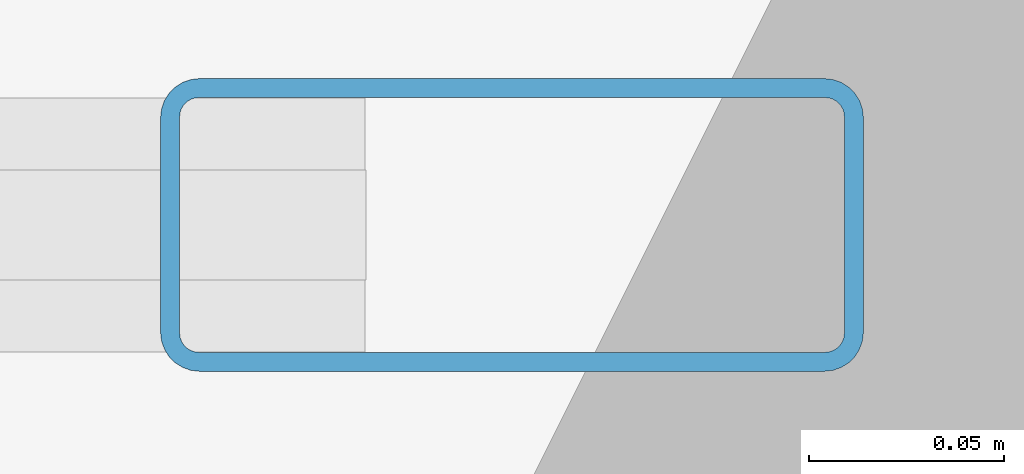
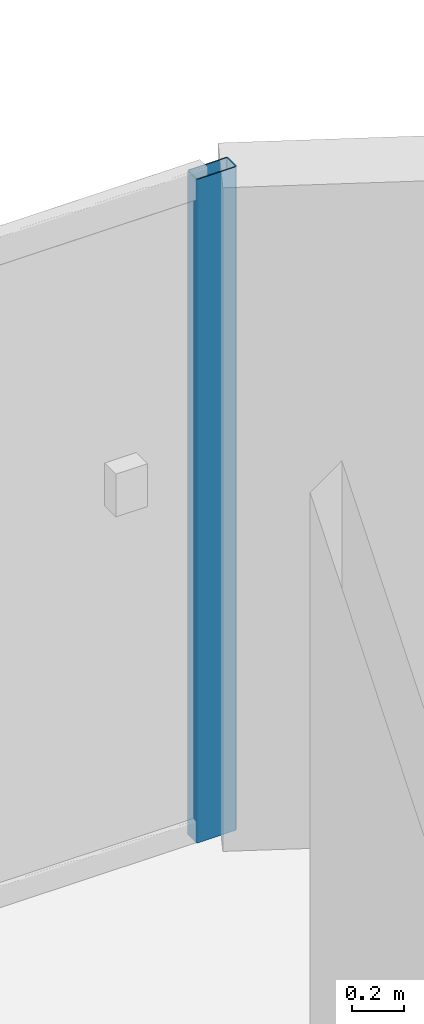
# One storey, part 8 of 19: 1 member, 1 element without a shape of its own.
"""IFC4 building model written with IfcOpenShell, lengths in metres."""

from ifc_helpers import new_model, si_unit, direction, frame, origin, origin_2d, place, context, subcontext, project, spatial, hollow_rectangle, extrude, material, layer, layer_set, material_profile, profile_set, type_object, element, aggregate, save


model = new_model("IFC4")

# Units and contexts
model_context = context("Model", 3, precision=1e-05, world=origin(), true_north=direction((0.0, 1.0)))
body_context = subcontext(model_context, "Body", "Model", "MODEL_VIEW")
ifc_project = project(units=[si_unit("LENGTHUNIT", "METRE"), si_unit("AREAUNIT", "SQUARE_METRE"), si_unit("VOLUMEUNIT", "CUBIC_METRE"), si_unit("PLANEANGLEUNIT", "RADIAN"), si_unit("MASSUNIT", "GRAM", prefix="KILO")], contexts=[model_context])

# Site, building, storey
site_placement = place(None, origin())
site = spatial("IfcSite", under=ifc_project, at=site_placement, CompositionType="ELEMENT")
building_placement = place(site_placement, origin())
building = spatial("IfcBuilding", under=site, at=building_placement, Name="Tarnavaz Court Tower", CompositionType="ELEMENT")
storey_placement = place(building_placement, frame((0.0, 0.0, 54.14990234375)))
storey = spatial("IfcBuildingStorey", under=building, at=storey_placement, Name="L14", CompositionType="ELEMENT", Elevation=54.14990234375)

# Curtain wall, member
ifc_material_1 = material(Name="Anodised Aluminium 6063-T6 and Solar Low-E Glazing", Category="aluminium")
ifc_layer = layer(ifc_material_1, 0.179931640625)
ifc_layer_set = layer_set([ifc_layer], Name="Anodised Aluminium 6063-T6 and Solar Low-E Glazing")
curtain_wall_type = type_object("IfcCurtainWallType", Name="CW-SYS-02", PredefinedType="NOTDEFINED", material=ifc_layer_set)
curtain_wall_placement = place(storey_placement, origin())
curtain_wall = element("IfcCurtainWall", 1, at=curtain_wall_placement, inside=storey, type_object=curtain_wall_type, Name="L14 Iwan Prow Curtain Wall 7", PredefinedType="NOTDEFINED")
ifc_material_2 = material(Name="Anodised Aluminium 6063-T6", Category="aluminium")
ifc_material_profile = material_profile(ifc_material_2, hollow_rectangle(XDim=0.074951171875, YDim=0.179931640625, WallThickness=0.0048828125, InnerFilletRadius=0.0048828125, OuterFilletRadius=0.010009765625, at=origin_2d()), Name="ALU RHS 180X75X5")
ifc_profile_set = profile_set([ifc_material_profile], Name="Anodised Aluminium 6063-T6")
member_type = type_object("IfcMemberType", Name="CW-MUL-180", PredefinedType="MULLION", material=ifc_profile_set)
member_placement = place(storey_placement, frame((4.3125, 25.050048828125, 0.0), z_axis=(0.0, 0.0, 1.0), x_axis=(0.0, 1.0, 0.0)))
member = element("IfcMember", 2, at=member_placement, type_object=member_type, Name="CW mullion 4", PredefinedType="MULLION", context=body_context, shape_type="SweptSolid", body=[
    extrude(hollow_rectangle(XDim=0.074951171875, YDim=0.179931640625, WallThickness=0.0048828125, InnerFilletRadius=0.0048828125, OuterFilletRadius=0.010009765625, at=origin_2d()), origin(), (0.0, 0.0, 1.0), 3.10009765625),
])
aggregate(curtain_wall, [member])

save(model, "model.ifc")
